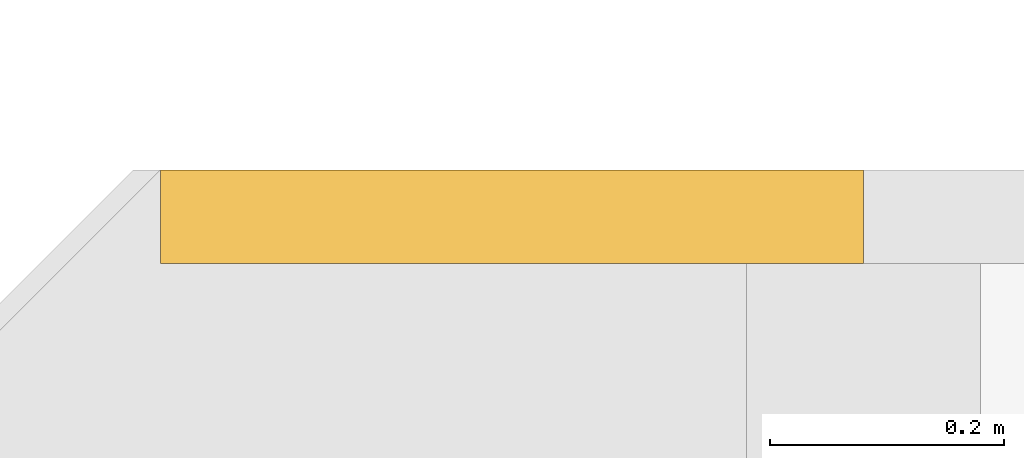
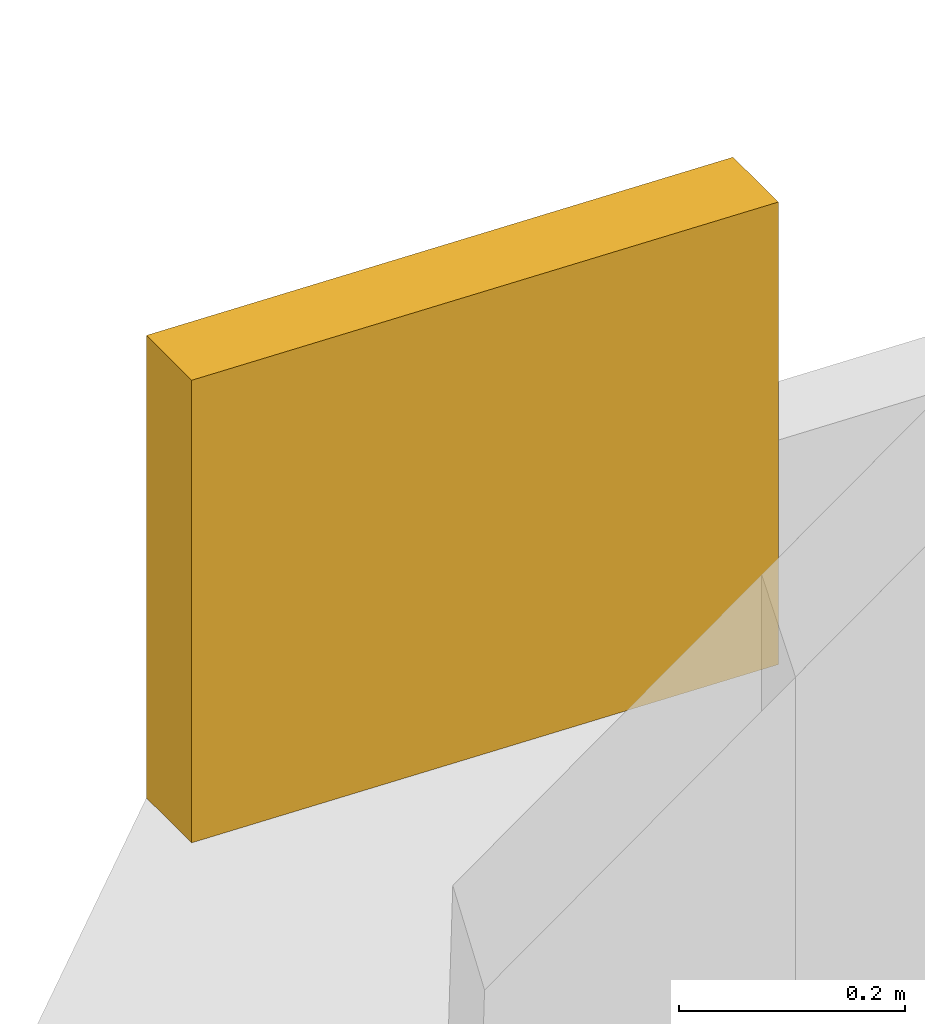
# One storey, part 30 of 30: 1 covering.
"""IFC4 building model written with IfcOpenShell, lengths in metres."""

from ifc_helpers import new_model, si_unit, direction, frame, origin, place, context, subcontext, project, spatial, polyline, outline, extrude, material, layer, layer_set, type_object, element, save


model = new_model("IFC4")

# Units and contexts
model_context = context("Model", 3, precision=1e-05, world=origin(), true_north=direction((0.0, 1.0)))
body_context = subcontext(model_context, "Body", "Model", "MODEL_VIEW")
ifc_project = project(units=[si_unit("LENGTHUNIT", "METRE"), si_unit("AREAUNIT", "SQUARE_METRE"), si_unit("VOLUMEUNIT", "CUBIC_METRE"), si_unit("PLANEANGLEUNIT", "RADIAN"), si_unit("MASSUNIT", "GRAM", prefix="KILO")], contexts=[model_context])

# Site, building, storey
site_placement = place(None, origin())
site = spatial("IfcSite", under=ifc_project, at=site_placement, CompositionType="ELEMENT")
building_placement = place(site_placement, origin())
building = spatial("IfcBuilding", under=site, at=building_placement, Name="Saffron Gate Tower", CompositionType="ELEMENT")
storey_placement = place(building_placement, frame((0.0, 0.0, 165.449951171875)))
storey = spatial("IfcBuildingStorey", under=building, at=storey_placement, Name="L40", CompositionType="ELEMENT", Elevation=165.449951171875)

# Covering
ifc_material = material(Name="Timber, thermally modified ash", Category="wood")
ifc_layer = layer(ifc_material, 0.080078125)
ifc_layer_set = layer_set([ifc_layer], Name="LD2 ledge planter trough")
covering_type = type_object("IfcCoveringType", Name="LD2 ledge planter trough", PredefinedType="CLADDING", material=ifc_layer_set)
covering_placement = place(storey_placement, frame((125.39990234375, 73.199951171875, 3.19580078125), z_axis=(0.0, 1.0, 0.0), x_axis=(-0.999582742162, 0.0, 0.028884971385)))
element("IfcCovering", 1, at=covering_placement, inside=storey, type_object=covering_type, Name="LEDGE planter trough", PredefinedType="CLADDING", context=body_context, shape_type="SweptSolid", body=[
    extrude(outline(polyline([(0.0, 0.0), (0.6001039136866089, 0.0), (0.614546399379222, 0.4997913710809928), (0.014442485692613144, 0.49979137108099286), (0.0, 0.0)])), origin(), (0.0, 0.0, -1.0), 0.080078125),
])

save(model, "model.ifc")
